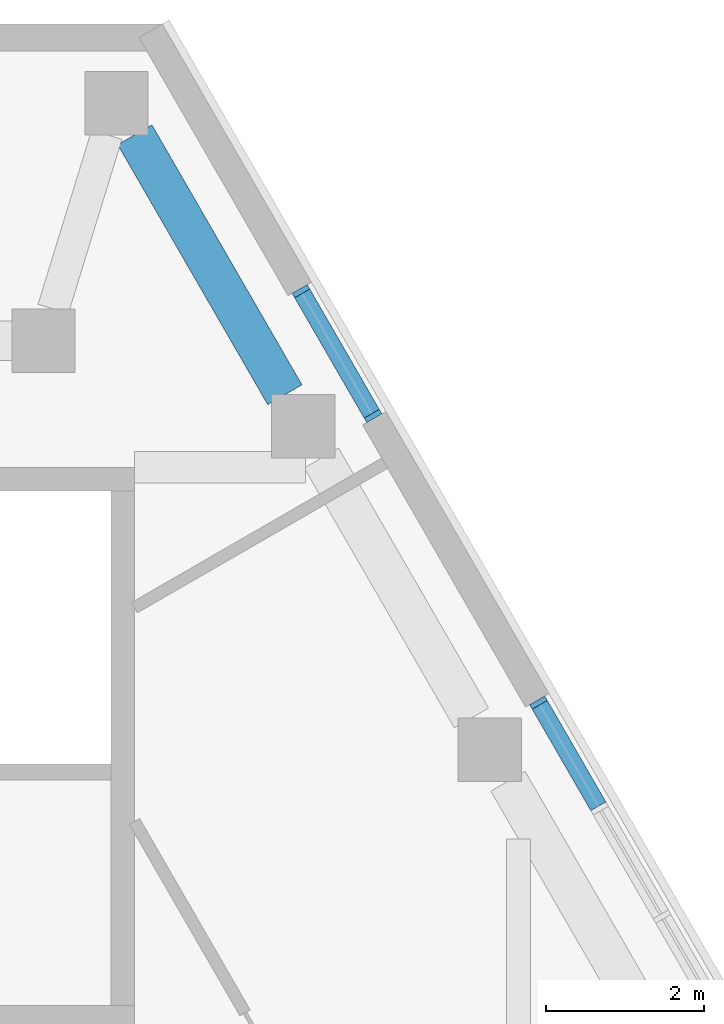
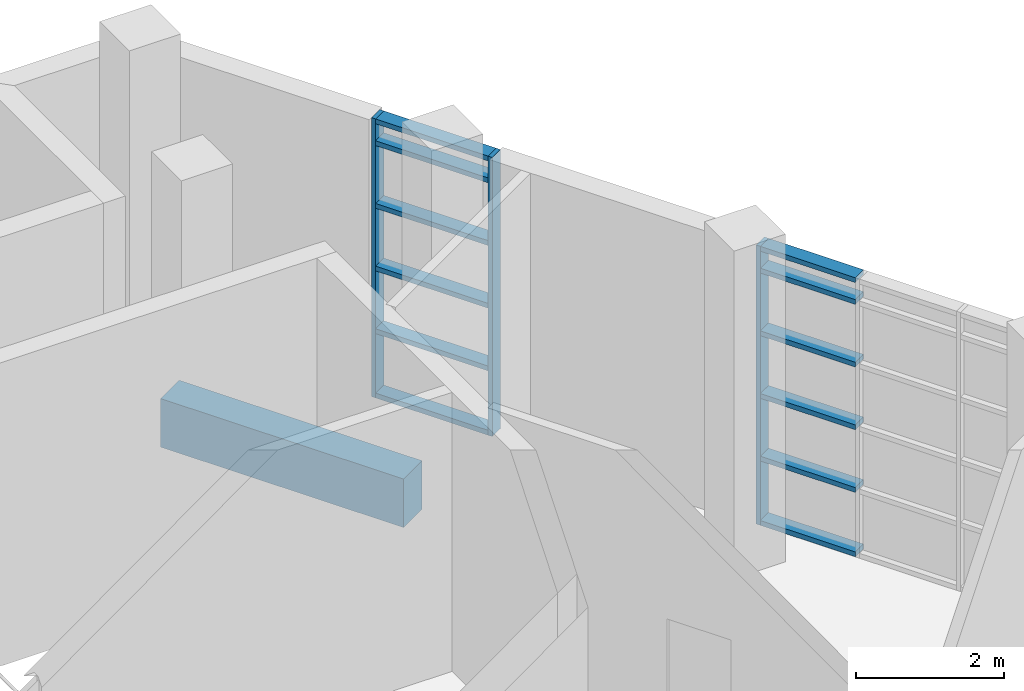
# One storey, part 6 of 13: 15 members, 1 beam, 2 elements without a shape of their own.
"""IFC4 building model written with IfcOpenShell, lengths in metres."""

from ifc_helpers import new_model, si_unit, direction, frame, origin, origin_2d, place, context, subcontext, project, spatial, rectangle, extrude, material, material_profile, profile_set, type_object, element, aggregate, save


model = new_model("IFC4")

# Units and contexts
model_context = context("Model", 3, precision=1e-05, world=origin(), true_north=direction((0.0, 1.0)))
body_context = subcontext(model_context, "Body", "Model", "MODEL_VIEW")
ifc_project = project(units=[si_unit("LENGTHUNIT", "METRE"), si_unit("AREAUNIT", "SQUARE_METRE"), si_unit("VOLUMEUNIT", "CUBIC_METRE"), si_unit("PLANEANGLEUNIT", "RADIAN"), si_unit("MASSUNIT", "GRAM", prefix="KILO")], contexts=[model_context])

# Site, building, storey
site_placement = place(None, origin())
site = spatial("IfcSite", under=ifc_project, at=site_placement, CompositionType="ELEMENT")
building_placement = place(site_placement, origin())
building = spatial("IfcBuilding", under=site, at=building_placement, Name="Fogline Exchange Tower", CompositionType="ELEMENT")
storey_placement = place(building_placement, frame((0.0, 0.0, 339.300048828125)))
storey = spatial("IfcBuildingStorey", under=building, at=storey_placement, Name="L77", CompositionType="ELEMENT", Elevation=339.300048828125)

# Beam
ifc_material_1 = material(Name="Concrete C40", Category="concrete")
ifc_material_profile_1 = material_profile(ifc_material_1, rectangle(XDim=0.5, YDim=0.800048828125, at=origin_2d()), Name="RC 500x800")
ifc_profile_set_1 = profile_set([ifc_material_profile_1], Name="Concrete C40")
beam_type = type_object("IfcBeamType", Name="B10", PredefinedType="BEAM", material=ifc_profile_set_1)
beam_placement = place(storey_placement, frame((6.048828125, 36.773681640625, -0.800048828125), z_axis=(-0.499969613651, 0.86604294664, 0.0), x_axis=(-0.86604294664, -0.499969613651, 0.0)))
element("IfcBeam", 1, at=beam_placement, inside=storey, type_object=beam_type, Name="RB016", PredefinedType="BEAM", context=body_context, shape_type="SweptSolid", body=[
    extrude(rectangle(XDim=0.5, YDim=0.800048828125, at=origin_2d()), origin(), (0.0, 0.0, 1.0), 3.790771484375),
])

# Curtain wall, member
ifc_material_2 = material(Name="Aluminium and glass", Category="aluminium")
curtain_wall_type = type_object("IfcCurtainWallType", Name="CW5", PredefinedType="NOTDEFINED", material=ifc_material_2)
curtain_wall_1_placement = place(storey_placement, origin())
curtain_wall_1 = element("IfcCurtainWall", 2, at=curtain_wall_1_placement, inside=storey, type_object=curtain_wall_type, Name="CW5 L77 E run 3", PredefinedType="NOTDEFINED")
ifc_material_3 = material(Name="Aluminium", Category="aluminium")
ifc_material_profile_2 = material_profile(ifc_material_3, rectangle(XDim=0.219970703125, YDim=0.06494140625, at=origin_2d()), Name="Mullion 65x220")
ifc_profile_set_2 = profile_set([ifc_material_profile_2], Name="Aluminium")
member_type_1 = type_object("IfcMemberType", Name="CW5-M", PredefinedType="MULLION", material=ifc_profile_set_2)
member_1_placement = place(storey_placement, frame((9.252685546875, 32.884521484375, 0.0), z_axis=(0.0, 0.0, 1.0), x_axis=(-0.866025393993, -0.500000016959, 0.0)))
member_1 = element("IfcMember", 3, at=member_1_placement, type_object=member_type_1, Name="CW5-T25-04 mullion 6", PredefinedType="MULLION", context=body_context, shape_type="SweptSolid", body=[
    extrude(rectangle(XDim=0.219970703125, YDim=0.06494140625, at=origin_2d()), origin(), (0.0, 0.0, 1.0), 4.599853515625),
])

# Curtain wall, members
curtain_wall_2_placement = place(storey_placement, origin())
curtain_wall_2 = element("IfcCurtainWall", 4, at=curtain_wall_2_placement, inside=storey, type_object=curtain_wall_type, Name="CW5 L77 E run 4", PredefinedType="NOTDEFINED")
member_2_placement = place(storey_placement, frame((7.162841796875, 36.504638671875, 0.0), z_axis=(0.0, 0.0, 1.0), x_axis=(-0.866025684137, -0.499999514416, 0.0)))
member_2 = element("IfcMember", 5, at=member_2_placement, type_object=member_type_1, Name="CW5-T25-05 mullion 1", PredefinedType="MULLION", context=body_context, shape_type="SweptSolid", body=[
    extrude(rectangle(XDim=0.219970703125, YDim=0.06494140625, at=origin_2d()), origin(), (0.0, 0.0, 1.0), 4.599853515625),
])
member_3_placement = place(storey_placement, frame((6.252685546875, 38.080810546875, 0.0), z_axis=(0.0, 0.0, 1.0), x_axis=(-0.866025684137, -0.499999514416, 0.0)))
member_3 = element("IfcMember", 6, at=member_3_placement, type_object=member_type_1, Name="CW5-T25-05 mullion 2", PredefinedType="MULLION", context=body_context, shape_type="SweptSolid", body=[
    extrude(rectangle(XDim=0.219970703125, YDim=0.06494140625, at=origin_2d()), origin(), (0.0, 0.0, 1.0), 4.599853515625),
])

# Member
ifc_material_profile_3 = material_profile(ifc_material_3, rectangle(XDim=0.219970703125, YDim=0.080078125, at=origin_2d()), Name="Transom 80x220")
ifc_profile_set_3 = profile_set([ifc_material_profile_3], Name="Aluminium")
member_type_2 = type_object("IfcMemberType", Name="CW5-T", PredefinedType="USERDEFINED", material=ifc_profile_set_3)
member_4_placement = place(storey_placement, frame((10.0087890625, 31.5751953125, 0.0400390625), z_axis=(-0.500008142102, 0.866020702889, 0.0), x_axis=(-0.866020702889, -0.500008142102, 0.0)))
member_4 = element("IfcMember", 7, at=member_4_placement, type_object=member_type_2, Name="CW5-T25-04 transom 5.1", ObjectType="TRANSOM", PredefinedType="USERDEFINED", context=body_context, shape_type="SweptSolid", body=[
    extrude(rectangle(XDim=0.219970703125, YDim=0.080078125, at=origin_2d()), origin(), (0.0, 0.0, 1.0), 1.4794921875),
])

member_5_placement = place(storey_placement, frame((10.0087890625, 31.5751953125, 1.099853515625), z_axis=(-0.500008142102, 0.866020702889, 0.0), x_axis=(-0.866020702889, -0.500008142102, 0.0)))
member_5 = element("IfcMember", 8, at=member_5_placement, type_object=member_type_2, Name="CW5-T25-04 transom 5.2", ObjectType="TRANSOM", PredefinedType="USERDEFINED", context=body_context, shape_type="SweptSolid", body=[
    extrude(rectangle(XDim=0.219970703125, YDim=0.080078125, at=origin_2d()), origin(), (0.0, 0.0, 1.0), 1.4794921875),
])

member_6_placement = place(storey_placement, frame((10.0087890625, 31.5751953125, 2.13330078125), z_axis=(-0.500008142102, 0.866020702889, 0.0), x_axis=(-0.866020702889, -0.500008142102, 0.0)))
member_6 = element("IfcMember", 9, at=member_6_placement, type_object=member_type_2, Name="CW5-T25-04 transom 5.3", ObjectType="TRANSOM", PredefinedType="USERDEFINED", context=body_context, shape_type="SweptSolid", body=[
    extrude(rectangle(XDim=0.219970703125, YDim=0.080078125, at=origin_2d()), origin(), (0.0, 0.0, 1.0), 1.4794921875),
])

member_7_placement = place(storey_placement, frame((10.0087890625, 31.5751953125, 3.166748046875), z_axis=(-0.500008142102, 0.866020702889, 0.0), x_axis=(-0.866020702889, -0.500008142102, 0.0)))
member_7 = element("IfcMember", 10, at=member_7_placement, type_object=member_type_2, Name="CW5-T25-04 transom 5.4", ObjectType="TRANSOM", PredefinedType="USERDEFINED", context=body_context, shape_type="SweptSolid", body=[
    extrude(rectangle(XDim=0.219970703125, YDim=0.080078125, at=origin_2d()), origin(), (0.0, 0.0, 1.0), 1.4794921875),
])

member_8_placement = place(storey_placement, frame((10.0087890625, 31.5751953125, 4.199951171875), z_axis=(-0.500008142102, 0.866020702889, 0.0), x_axis=(-0.866020702889, -0.500008142102, 0.0)))
member_8 = element("IfcMember", 11, at=member_8_placement, type_object=member_type_2, Name="CW5-T25-04 transom 5.5", ObjectType="TRANSOM", PredefinedType="USERDEFINED", context=body_context, shape_type="SweptSolid", body=[
    extrude(rectangle(XDim=0.219970703125, YDim=0.080078125, at=origin_2d()), origin(), (0.0, 0.0, 1.0), 1.4794921875),
])

member_9_placement = place(storey_placement, frame((10.0087890625, 31.5751953125, 4.56005859375), z_axis=(-0.500008142102, 0.866020702889, 0.0), x_axis=(-0.866020702889, -0.500008142102, 0.0)))
member_9 = element("IfcMember", 12, at=member_9_placement, type_object=member_type_2, Name="CW5-T25-04 transom 5.6", ObjectType="TRANSOM", PredefinedType="USERDEFINED", context=body_context, shape_type="SweptSolid", body=[
    extrude(rectangle(XDim=0.219970703125, YDim=0.080078125, at=origin_2d()), origin(), (0.0, 0.0, 1.0), 1.4794921875),
])

aggregate(curtain_wall_1, [member_1, member_4, member_5, member_6, member_7, member_8, member_9])

member_10_placement = place(storey_placement, frame((7.146484375, 36.53271484375, 0.0400390625), z_axis=(-0.499999433879, 0.866025730634, 0.0), x_axis=(-0.866025730634, -0.499999433879, 0.0)))
member_10 = element("IfcMember", 13, at=member_10_placement, type_object=member_type_2, Name="CW5-T25-05 transom 1.1", ObjectType="TRANSOM", PredefinedType="USERDEFINED", context=body_context, shape_type="SweptSolid", body=[
    extrude(rectangle(XDim=0.219970703125, YDim=0.080078125, at=origin_2d()), origin(), (0.0, 0.0, 1.0), 1.7548828125),
])

member_11_placement = place(storey_placement, frame((7.146484375, 36.53271484375, 1.099853515625), z_axis=(-0.499999433879, 0.866025730634, 0.0), x_axis=(-0.866025730634, -0.499999433879, 0.0)))
member_11 = element("IfcMember", 14, at=member_11_placement, type_object=member_type_2, Name="CW5-T25-05 transom 1.2", ObjectType="TRANSOM", PredefinedType="USERDEFINED", context=body_context, shape_type="SweptSolid", body=[
    extrude(rectangle(XDim=0.219970703125, YDim=0.080078125, at=origin_2d()), origin(), (0.0, 0.0, 1.0), 1.7548828125),
])

member_12_placement = place(storey_placement, frame((7.146484375, 36.53271484375, 2.13330078125), z_axis=(-0.499999433879, 0.866025730634, 0.0), x_axis=(-0.866025730634, -0.499999433879, 0.0)))
member_12 = element("IfcMember", 15, at=member_12_placement, type_object=member_type_2, Name="CW5-T25-05 transom 1.3", ObjectType="TRANSOM", PredefinedType="USERDEFINED", context=body_context, shape_type="SweptSolid", body=[
    extrude(rectangle(XDim=0.219970703125, YDim=0.080078125, at=origin_2d()), origin(), (0.0, 0.0, 1.0), 1.7548828125),
])

member_13_placement = place(storey_placement, frame((7.146484375, 36.53271484375, 3.166748046875), z_axis=(-0.499999433879, 0.866025730634, 0.0), x_axis=(-0.866025730634, -0.499999433879, 0.0)))
member_13 = element("IfcMember", 16, at=member_13_placement, type_object=member_type_2, Name="CW5-T25-05 transom 1.4", ObjectType="TRANSOM", PredefinedType="USERDEFINED", context=body_context, shape_type="SweptSolid", body=[
    extrude(rectangle(XDim=0.219970703125, YDim=0.080078125, at=origin_2d()), origin(), (0.0, 0.0, 1.0), 1.7548828125),
])

member_14_placement = place(storey_placement, frame((7.146484375, 36.53271484375, 4.199951171875), z_axis=(-0.499999433879, 0.866025730634, 0.0), x_axis=(-0.866025730634, -0.499999433879, 0.0)))
member_14 = element("IfcMember", 17, at=member_14_placement, type_object=member_type_2, Name="CW5-T25-05 transom 1.5", ObjectType="TRANSOM", PredefinedType="USERDEFINED", context=body_context, shape_type="SweptSolid", body=[
    extrude(rectangle(XDim=0.219970703125, YDim=0.080078125, at=origin_2d()), origin(), (0.0, 0.0, 1.0), 1.7548828125),
])

member_15_placement = place(storey_placement, frame((7.146484375, 36.53271484375, 4.56005859375), z_axis=(-0.499999433879, 0.866025730634, 0.0), x_axis=(-0.866025730634, -0.499999433879, 0.0)))
member_15 = element("IfcMember", 18, at=member_15_placement, type_object=member_type_2, Name="CW5-T25-05 transom 1.6", ObjectType="TRANSOM", PredefinedType="USERDEFINED", context=body_context, shape_type="SweptSolid", body=[
    extrude(rectangle(XDim=0.219970703125, YDim=0.080078125, at=origin_2d()), origin(), (0.0, 0.0, 1.0), 1.7548828125),
])

aggregate(curtain_wall_2, [member_2, member_3, member_10, member_11, member_12, member_13, member_14, member_15])

save(model, "model.ifc")
